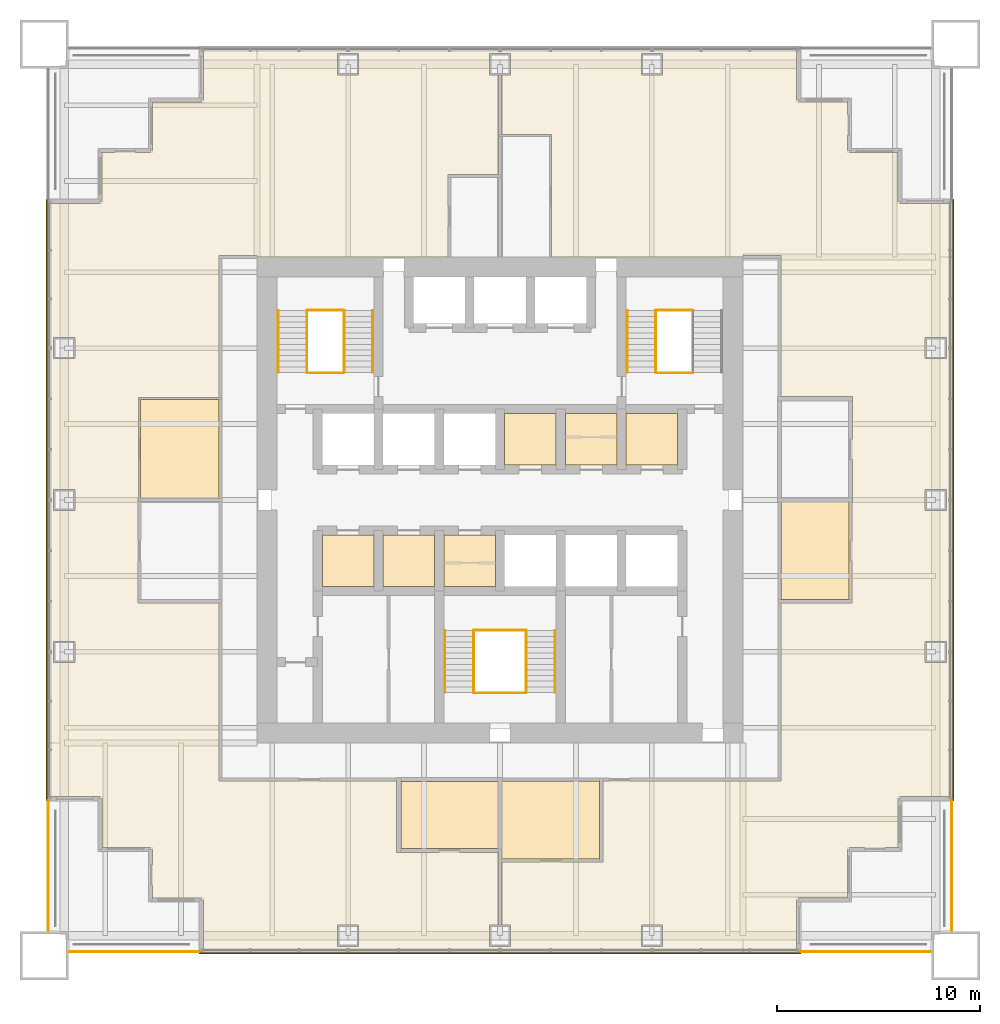
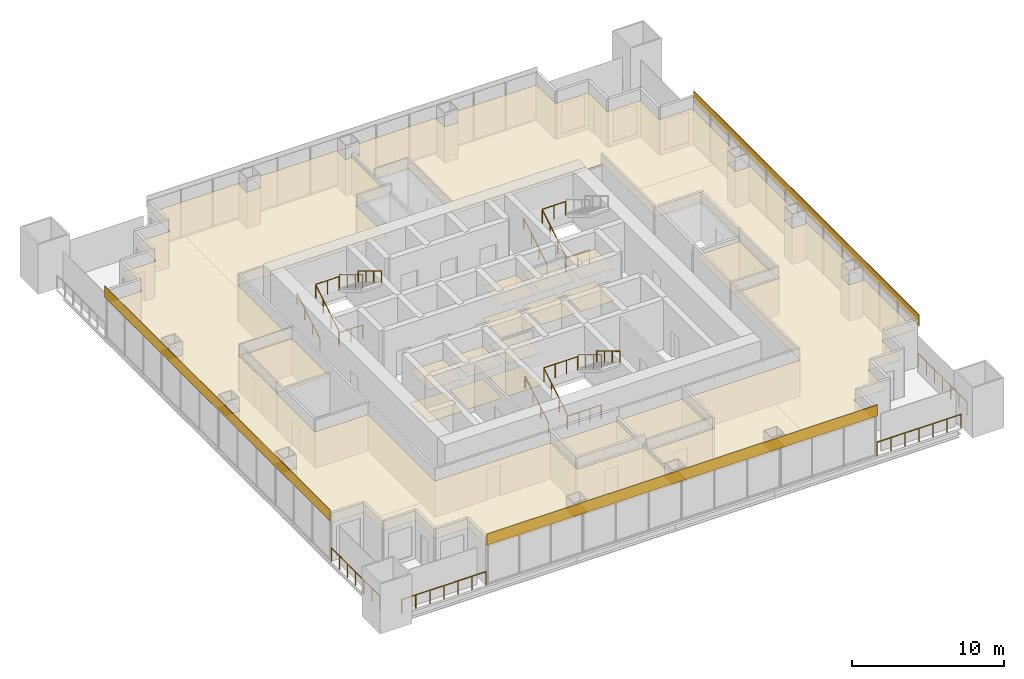
# One storey, part 12 of 13: 21 coverings, 20 railings.
"""IFC4 building model written with IfcOpenShell, lengths in metres."""

from ifc_helpers import new_model, si_unit, direction, frame, origin, origin_2d, place, context, subcontext, project, spatial, polyline, rectangle, circle, outline, extrude, material, layer, layer_set, type_object, element, save


model = new_model("IFC4")

# Units and contexts
model_context = context("Model", 3, precision=1e-05, world=origin(), true_north=direction((0.0, 1.0)))
body_context = subcontext(model_context, "Body", "Model", "MODEL_VIEW")
ifc_project = project(units=[si_unit("LENGTHUNIT", "METRE"), si_unit("AREAUNIT", "SQUARE_METRE"), si_unit("VOLUMEUNIT", "CUBIC_METRE"), si_unit("PLANEANGLEUNIT", "RADIAN"), si_unit("MASSUNIT", "GRAM", prefix="KILO")], contexts=[model_context])

# Site, building, storey
site_placement = place(None, origin())
site = spatial("IfcSite", under=ifc_project, at=site_placement, CompositionType="ELEMENT")
building_placement = place(site_placement, origin())
building = spatial("IfcBuilding", under=site, at=building_placement, Name="Tarangal Relay Tower", CompositionType="ELEMENT")
storey_placement = place(building_placement, frame((0.0, 0.0, 217.89990234375)))
storey = spatial("IfcBuildingStorey", under=building, at=storey_placement, Name="L46", CompositionType="ELEMENT", Elevation=217.89990234375)

# Coverings
ifc_material_1 = material(Name="Anti-static vinyl flooring", Category="plastic")
ifc_layer_1 = layer(ifc_material_1, 0.010009765625)
ifc_layer_set_1 = layer_set([ifc_layer_1], Name="Anti-static vinyl floor")
covering_type_1 = type_object("IfcCoveringType", Name="Anti-static vinyl floor", PredefinedType="FLOORING", material=ifc_layer_set_1)
covering_1_placement = place(storey_placement, origin())
element("IfcCovering", 1, at=covering_1_placement, inside=storey, type_object=covering_type_1, Name="Floor finish FL1 L46-T1", PredefinedType="FLOORING", context=body_context, shape_type="SweptSolid", body=[
    extrude(outline(polyline([(0.22509765625, 1.72509765625), (2.77490234375, 1.72509765625), (2.77490234375, 4.27490234375), (0.22509765625, 4.27490234375), (0.22509765625, 1.72509765625)])), origin(), (0.0, 0.0, 1.0), 0.010009765625),
])
covering_2_placement = place(storey_placement, origin())
element("IfcCovering", 2, at=covering_2_placement, inside=storey, type_object=covering_type_1, Name="Floor finish FL1 L46-T2", PredefinedType="FLOORING", context=body_context, shape_type="SweptSolid", body=[
    extrude(outline(polyline([(3.22509765625, 1.72509765625), (5.77490234375, 1.72509765625), (5.77490234375, 4.27490234375), (3.22509765625, 4.27490234375), (3.22509765625, 1.72509765625)])), origin(), (0.0, 0.0, 1.0), 0.010009765625),
])
covering_3_placement = place(storey_placement, origin())
element("IfcCovering", 3, at=covering_3_placement, inside=storey, type_object=covering_type_1, Name="Floor finish FL1 L46-T3", PredefinedType="FLOORING", context=body_context, shape_type="SweptSolid", body=[
    extrude(outline(polyline([(6.22509765625, 1.72509765625), (8.77490234375, 1.72509765625), (8.77490234375, 4.27490234375), (6.22509765625, 4.27490234375), (6.22509765625, 1.72509765625)])), origin(), (0.0, 0.0, 1.0), 0.010009765625),
])
covering_4_placement = place(storey_placement, origin())
element("IfcCovering", 4, at=covering_4_placement, inside=storey, type_object=covering_type_1, Name="Floor finish FL1 L46-S1", PredefinedType="FLOORING", context=body_context, shape_type="SweptSolid", body=[
    extrude(outline(polyline([(-8.77490234375, -4.27490234375), (-6.22509765625, -4.27490234375), (-6.22509765625, -1.72509765625), (-8.77490234375, -1.72509765625), (-8.77490234375, -4.27490234375)])), origin(), (0.0, 0.0, 1.0), 0.010009765625),
])
covering_5_placement = place(storey_placement, origin())
element("IfcCovering", 5, at=covering_5_placement, inside=storey, type_object=covering_type_1, Name="Floor finish FL1 L46-S2", PredefinedType="FLOORING", context=body_context, shape_type="SweptSolid", body=[
    extrude(outline(polyline([(-5.77490234375, -4.27490234375), (-3.22509765625, -4.27490234375), (-3.22509765625, -1.72509765625), (-5.77490234375, -1.72509765625), (-5.77490234375, -4.27490234375)])), origin(), (0.0, 0.0, 1.0), 0.010009765625),
])
covering_6_placement = place(storey_placement, origin())
element("IfcCovering", 6, at=covering_6_placement, inside=storey, type_object=covering_type_1, Name="Floor finish FL1 L46-S3", PredefinedType="FLOORING", context=body_context, shape_type="SweptSolid", body=[
    extrude(outline(polyline([(-2.77490234375, -4.27490234375), (-0.22509765625, -4.27490234375), (-0.22509765625, -1.72509765625), (-2.77490234375, -1.72509765625), (-2.77490234375, -4.27490234375)])), origin(), (0.0, 0.0, 1.0), 0.010009765625),
])
ifc_material_2 = material(Name="Black anodised aluminium cladding", Category="aluminium")
ifc_layer_2 = layer(ifc_material_2, 0.050048828125)
ifc_layer_set_2 = layer_set([ifc_layer_2], Name="Black metal spandrel band")
covering_type_2 = type_object("IfcCoveringType", Name="Black metal spandrel band", PredefinedType="CLADDING", material=ifc_layer_set_2)
for number, where, z_axis, x_axis, name in (
    (7, (22.375, 0.0, 3.250244140625), (0.0, 0.0, 1.0), (0.0, -1.0, 0.0), "Spandrel band SB1 E L46"),
    (8, (0.0, -22.375, 3.250244140625), (0.0, 0.0, 1.0), (-1.0, 0.0, 0.0), "Spandrel band SB1 S L46"),
    (9, (-22.375, 0.0, 3.250244140625), (0.0, 0.0, 1.0), (0.0, 1.0, 0.0), "Spandrel band SB1 W L46"),
):
    element("IfcCovering", number, at=place(storey_placement, frame(where, z_axis=z_axis, x_axis=x_axis)), inside=storey, type_object=covering_type_2, Name=name, PredefinedType="CLADDING", context=body_context, shape_type="SweptSolid", body=[
        extrude(rectangle(XDim=29.699951171875, YDim=0.050048828125, at=origin_2d()), origin(), (0.0, 0.0, 1.0), 0.89990234375),
    ])

# Railings
ifc_material_3 = material(Name="Steel guard, black finish", Category="steel")
railing_type_1 = type_object("IfcRailingType", Name="Stair guard 1100", PredefinedType="GUARDRAIL", material=ifc_material_3)
railing_1_placement = place(storey_placement, frame((-9.530029296875, 6.300048828125, 0.166748046875)))
element("IfcRailing", 10, at=railing_1_placement, inside=storey, type_object=railing_type_1, Name="Stair ST-A guard GR1 L46 flight 1", PredefinedType="GUARDRAIL", context=body_context, shape_type="SweptSolid", body=[
    extrude(circle(Radius=0.02392578125, at=origin_2d()), frame((0.0, 0.0, 1.076171875), z_axis=(0.0, 0.85685617095, 0.515555527858), x_axis=(-1.0, 0.0, 0.0)), (0.0, 0.0, 1.0), 3.555908203125),
    extrude(circle(Radius=0.02099609375, at=origin_2d()), origin(), (0.0, 0.0, 1.0), 1.052001953125),
    extrude(circle(Radius=0.02099609375, at=origin_2d()), frame((0.0, 1.015625, 0.611083984375)), (0.0, 0.0, 1.0), 1.052001953125),
    extrude(circle(Radius=0.02099609375, at=origin_2d()), frame((0.0, 2.03125, 1.22216796875)), (0.0, 0.0, 1.0), 1.052001953125),
    extrude(circle(Radius=0.02099609375, at=origin_2d()), frame((0.0, 3.046875, 1.833251953125)), (0.0, 0.0, 1.0), 1.052001953125),
])
railing_2_placement = place(storey_placement, frame((-7.695068359375, 9.346923828125, 2.166748046875)))
element("IfcRailing", 11, at=railing_2_placement, inside=storey, type_object=railing_type_1, Name="Stair ST-A guard GR1 L46 flight 2", PredefinedType="GUARDRAIL", context=body_context, shape_type="SweptSolid", body=[
    extrude(circle(Radius=0.02392578125, at=origin_2d()), frame((0.0, 0.0, 1.076171875), z_axis=(0.0, -0.85685617095, 0.515555527858), x_axis=(1.0, 0.0, 0.0)), (0.0, 0.0, 1.0), 3.555908203125),
    extrude(circle(Radius=0.02099609375, at=origin_2d()), origin(), (0.0, 0.0, 1.0), 1.052001953125),
    extrude(circle(Radius=0.02099609375, at=origin_2d()), frame((0.0, -1.015625, 0.611083984375)), (0.0, 0.0, 1.0), 1.052001953125),
    extrude(circle(Radius=0.02099609375, at=origin_2d()), frame((0.0, -2.03125, 1.22216796875)), (0.0, 0.0, 1.0), 1.052001953125),
    extrude(circle(Radius=0.02099609375, at=origin_2d()), frame((0.0, -3.046875, 1.833251953125)), (0.0, 0.0, 1.0), 1.052001953125),
])
for number, where, name in (
    (12, (-9.5, 6.27001953125, 0.0), "Stair ST-A landing guard GR1 L46"),
    (13, (-9.5, 9.376953125, 2.0), "Stair ST-A landing guard GR1 L46"),
):
    element("IfcRailing", number, at=place(storey_placement, frame(where)), inside=storey, type_object=railing_type_1, Name=name, PredefinedType="GUARDRAIL", context=body_context, shape_type="SweptSolid", body=[
        extrude(circle(Radius=0.02392578125, at=origin_2d()), frame((0.0, 0.0, 1.076171875), z_axis=(1.0, 0.0, 0.0), x_axis=(0.0, 1.0, 0.0)), (0.0, 0.0, 1.0), 1.77490234375),
        extrude(circle(Radius=0.02099609375, at=origin_2d()), origin(), (0.0, 0.0, 1.0), 1.052001953125),
        extrude(circle(Radius=0.02099609375, at=origin_2d()), frame((0.887451171875, 0.0, 0.0)), (0.0, 0.0, 1.0), 1.052001953125),
        extrude(circle(Radius=0.02099609375, at=origin_2d()), frame((1.77490234375, 0.0, 0.0)), (0.0, 0.0, 1.0), 1.052001953125),
    ])
railing_3_placement = place(storey_placement, frame((7.695068359375, 6.300048828125, 0.166748046875)))
element("IfcRailing", 14, at=railing_3_placement, inside=storey, type_object=railing_type_1, Name="Stair ST-B guard GR1 L46 flight 1", PredefinedType="GUARDRAIL", context=body_context, shape_type="SweptSolid", body=[
    extrude(circle(Radius=0.02392578125, at=origin_2d()), frame((0.0, 0.0, 1.076171875), z_axis=(0.0, 0.85685617095, 0.515555527858), x_axis=(-1.0, 0.0, 0.0)), (0.0, 0.0, 1.0), 3.555908203125),
    extrude(circle(Radius=0.02099609375, at=origin_2d()), origin(), (0.0, 0.0, 1.0), 1.052001953125),
    extrude(circle(Radius=0.02099609375, at=origin_2d()), frame((0.0, 1.015625, 0.611083984375)), (0.0, 0.0, 1.0), 1.052001953125),
    extrude(circle(Radius=0.02099609375, at=origin_2d()), frame((0.0, 2.03125, 1.22216796875)), (0.0, 0.0, 1.0), 1.052001953125),
    extrude(circle(Radius=0.02099609375, at=origin_2d()), frame((0.0, 3.046875, 1.833251953125)), (0.0, 0.0, 1.0), 1.052001953125),
])
for number, where, name in (
    (15, (7.72509765625, 6.27001953125, 0.0), "Stair ST-B landing guard GR1 L46"),
    (16, (7.72509765625, 9.376953125, 2.0), "Stair ST-B landing guard GR1 L46"),
):
    element("IfcRailing", number, at=place(storey_placement, frame(where)), inside=storey, type_object=railing_type_1, Name=name, PredefinedType="GUARDRAIL", context=body_context, shape_type="SweptSolid", body=[
        extrude(circle(Radius=0.02392578125, at=origin_2d()), frame((0.0, 0.0, 1.076171875), z_axis=(1.0, 0.0, 0.0), x_axis=(0.0, 1.0, 0.0)), (0.0, 0.0, 1.0), 1.77490234375),
        extrude(circle(Radius=0.02099609375, at=origin_2d()), origin(), (0.0, 0.0, 1.0), 1.052001953125),
        extrude(circle(Radius=0.02099609375, at=origin_2d()), frame((0.887451171875, 0.0, 0.0)), (0.0, 0.0, 1.0), 1.052001953125),
        extrude(circle(Radius=0.02099609375, at=origin_2d()), frame((1.77490234375, 0.0, 0.0)), (0.0, 0.0, 1.0), 1.052001953125),
    ])
railing_4_placement = place(storey_placement, frame((-1.304931640625, -9.5, 0.166748046875)))
element("IfcRailing", 17, at=railing_4_placement, inside=storey, type_object=railing_type_1, Name="Stair ST-C guard GR1 L46 flight 1", PredefinedType="GUARDRAIL", context=body_context, shape_type="SweptSolid", body=[
    extrude(circle(Radius=0.02392578125, at=origin_2d()), frame((0.0, 0.0, 1.076171875), z_axis=(0.0, 0.856874418557, 0.515525199018), x_axis=(-1.0, 0.0, 0.0)), (0.0, 0.0, 1.0), 3.55615234375),
    extrude(circle(Radius=0.02099609375, at=origin_2d()), origin(), (0.0, 0.0, 1.0), 1.052001953125),
    extrude(circle(Radius=0.02099609375, at=origin_2d()), frame((0.0, 1.015625, 0.611083984375)), (0.0, 0.0, 1.0), 1.052001953125),
    extrude(circle(Radius=0.02099609375, at=origin_2d()), frame((0.0, 2.031494140625, 1.22216796875)), (0.0, 0.0, 1.0), 1.052001953125),
    extrude(circle(Radius=0.02099609375, at=origin_2d()), frame((0.0, 3.047119140625, 1.833251953125)), (0.0, 0.0, 1.0), 1.052001953125),
])
railing_5_placement = place(storey_placement, frame((1.304931640625, -6.452880859375, 2.166748046875)))
element("IfcRailing", 18, at=railing_5_placement, inside=storey, type_object=railing_type_1, Name="Stair ST-C guard GR1 L46 flight 2", PredefinedType="GUARDRAIL", context=body_context, shape_type="SweptSolid", body=[
    extrude(circle(Radius=0.02392578125, at=origin_2d()), frame((0.0, 0.0, 1.076171875), z_axis=(0.0, -0.856874418557, 0.515525199018), x_axis=(1.0, 0.0, 0.0)), (0.0, 0.0, 1.0), 3.55615234375),
    extrude(circle(Radius=0.02099609375, at=origin_2d()), origin(), (0.0, 0.0, 1.0), 1.052001953125),
    extrude(circle(Radius=0.02099609375, at=origin_2d()), frame((0.0, -1.015625, 0.611083984375)), (0.0, 0.0, 1.0), 1.052001953125),
    extrude(circle(Radius=0.02099609375, at=origin_2d()), frame((0.0, -2.031494140625, 1.22216796875)), (0.0, 0.0, 1.0), 1.052001953125),
    extrude(circle(Radius=0.02099609375, at=origin_2d()), frame((0.0, -3.047119140625, 1.833251953125)), (0.0, 0.0, 1.0), 1.052001953125),
])
for number, where, name in (
    (19, (-1.27490234375, -9.530029296875, 0.0), "Stair ST-C landing guard GR1 L46"),
    (20, (-1.27490234375, -6.423095703125, 2.0), "Stair ST-C landing guard GR1 L46"),
):
    element("IfcRailing", number, at=place(storey_placement, frame(where)), inside=storey, type_object=railing_type_1, Name=name, PredefinedType="GUARDRAIL", context=body_context, shape_type="SweptSolid", body=[
        extrude(circle(Radius=0.02392578125, at=origin_2d()), frame((0.0, 0.0, 1.076171875), z_axis=(1.0, 0.0, 0.0), x_axis=(0.0, 1.0, 0.0)), (0.0, 0.0, 1.0), 2.5498046875),
        extrude(circle(Radius=0.02099609375, at=origin_2d()), origin(), (0.0, 0.0, 1.0), 1.052001953125),
        extrude(circle(Radius=0.02099609375, at=origin_2d()), frame((0.849853515625, 0.0, 0.0)), (0.0, 0.0, 1.0), 1.052001953125),
        extrude(circle(Radius=0.02099609375, at=origin_2d()), frame((1.699951171875, 0.0, 0.0)), (0.0, 0.0, 1.0), 1.052001953125),
        extrude(circle(Radius=0.02099609375, at=origin_2d()), frame((2.5498046875, 0.0, 0.0)), (0.0, 0.0, 1.0), 1.052001953125),
    ])
ifc_material_4 = material(Name="Steel handrail, black finish", Category="steel")
railing_type_2 = type_object("IfcRailingType", Name="Stair handrail 900", PredefinedType="HANDRAIL", material=ifc_material_4)
railing_6_placement = place(storey_placement, frame((-10.93994140625, 6.300048828125, 0.166748046875)))
element("IfcRailing", 21, at=railing_6_placement, inside=storey, type_object=railing_type_2, Name="Stair ST-A handrail HR1 L46 flight 1", PredefinedType="HANDRAIL", context=body_context, shape_type="SweptSolid", body=[
    extrude(circle(Radius=0.02392578125, at=origin_2d()), frame((0.0, 0.0, 0.8759765625), z_axis=(0.0, 0.85685617095, 0.515555527858), x_axis=(-1.0, 0.0, 0.0)), (0.0, 0.0, 1.0), 3.555908203125),
    extrude(circle(Radius=0.02099609375, at=origin_2d()), origin(), (0.0, 0.0, 1.0), 0.851806640625),
    extrude(circle(Radius=0.02099609375, at=origin_2d()), frame((0.0, 1.015625, 0.611083984375)), (0.0, 0.0, 1.0), 0.851806640625),
    extrude(circle(Radius=0.02099609375, at=origin_2d()), frame((0.0, 2.03125, 1.22216796875)), (0.0, 0.0, 1.0), 0.851806640625),
    extrude(circle(Radius=0.02099609375, at=origin_2d()), frame((0.0, 3.046875, 1.833251953125)), (0.0, 0.0, 1.0), 0.851806640625),
])
railing_7_placement = place(storey_placement, frame((-6.284912109375, 9.346923828125, 2.166748046875)))
element("IfcRailing", 22, at=railing_7_placement, inside=storey, type_object=railing_type_2, Name="Stair ST-A handrail HR1 L46 flight 2", PredefinedType="HANDRAIL", context=body_context, shape_type="SweptSolid", body=[
    extrude(circle(Radius=0.02392578125, at=origin_2d()), frame((0.0, 0.0, 0.8759765625), z_axis=(0.0, -0.85685617095, 0.515555527858), x_axis=(1.0, 0.0, 0.0)), (0.0, 0.0, 1.0), 3.555908203125),
    extrude(circle(Radius=0.02099609375, at=origin_2d()), origin(), (0.0, 0.0, 1.0), 0.851806640625),
    extrude(circle(Radius=0.02099609375, at=origin_2d()), frame((0.0, -1.015625, 0.611083984375)), (0.0, 0.0, 1.0), 0.851806640625),
    extrude(circle(Radius=0.02099609375, at=origin_2d()), frame((0.0, -2.03125, 1.22216796875)), (0.0, 0.0, 1.0), 0.851806640625),
    extrude(circle(Radius=0.02099609375, at=origin_2d()), frame((0.0, -3.046875, 1.833251953125)), (0.0, 0.0, 1.0), 0.851806640625),
])
railing_8_placement = place(storey_placement, frame((6.284912109375, 6.300048828125, 0.166748046875)))
element("IfcRailing", 23, at=railing_8_placement, inside=storey, type_object=railing_type_2, Name="Stair ST-B handrail HR1 L46 flight 1", PredefinedType="HANDRAIL", context=body_context, shape_type="SweptSolid", body=[
    extrude(circle(Radius=0.02392578125, at=origin_2d()), frame((0.0, 0.0, 0.8759765625), z_axis=(0.0, 0.85685617095, 0.515555527858), x_axis=(-1.0, 0.0, 0.0)), (0.0, 0.0, 1.0), 3.555908203125),
    extrude(circle(Radius=0.02099609375, at=origin_2d()), origin(), (0.0, 0.0, 1.0), 0.851806640625),
    extrude(circle(Radius=0.02099609375, at=origin_2d()), frame((0.0, 1.015625, 0.611083984375)), (0.0, 0.0, 1.0), 0.851806640625),
    extrude(circle(Radius=0.02099609375, at=origin_2d()), frame((0.0, 2.03125, 1.22216796875)), (0.0, 0.0, 1.0), 0.851806640625),
    extrude(circle(Radius=0.02099609375, at=origin_2d()), frame((0.0, 3.046875, 1.833251953125)), (0.0, 0.0, 1.0), 0.851806640625),
])
railing_9_placement = place(storey_placement, frame((-2.715087890625, -9.5, 0.166748046875)))
element("IfcRailing", 24, at=railing_9_placement, inside=storey, type_object=railing_type_2, Name="Stair ST-C handrail HR1 L46 flight 1", PredefinedType="HANDRAIL", context=body_context, shape_type="SweptSolid", body=[
    extrude(circle(Radius=0.02392578125, at=origin_2d()), frame((0.0, 0.0, 0.8759765625), z_axis=(0.0, 0.856874418557, 0.515525199018), x_axis=(-1.0, 0.0, 0.0)), (0.0, 0.0, 1.0), 3.55615234375),
    extrude(circle(Radius=0.02099609375, at=origin_2d()), origin(), (0.0, 0.0, 1.0), 0.851806640625),
    extrude(circle(Radius=0.02099609375, at=origin_2d()), frame((0.0, 1.015625, 0.611083984375)), (0.0, 0.0, 1.0), 0.851806640625),
    extrude(circle(Radius=0.02099609375, at=origin_2d()), frame((0.0, 2.031494140625, 1.22216796875)), (0.0, 0.0, 1.0), 0.851806640625),
    extrude(circle(Radius=0.02099609375, at=origin_2d()), frame((0.0, 3.047119140625, 1.833251953125)), (0.0, 0.0, 1.0), 0.851806640625),
])
railing_10_placement = place(storey_placement, frame((2.715087890625, -6.452880859375, 2.166748046875)))
element("IfcRailing", 25, at=railing_10_placement, inside=storey, type_object=railing_type_2, Name="Stair ST-C handrail HR1 L46 flight 2", PredefinedType="HANDRAIL", context=body_context, shape_type="SweptSolid", body=[
    extrude(circle(Radius=0.02392578125, at=origin_2d()), frame((0.0, 0.0, 0.8759765625), z_axis=(0.0, -0.856874418557, 0.515525199018), x_axis=(1.0, 0.0, 0.0)), (0.0, 0.0, 1.0), 3.55615234375),
    extrude(circle(Radius=0.02099609375, at=origin_2d()), origin(), (0.0, 0.0, 1.0), 0.851806640625),
    extrude(circle(Radius=0.02099609375, at=origin_2d()), frame((0.0, -1.015625, 0.611083984375)), (0.0, 0.0, 1.0), 0.851806640625),
    extrude(circle(Radius=0.02099609375, at=origin_2d()), frame((0.0, -2.031494140625, 1.22216796875)), (0.0, 0.0, 1.0), 0.851806640625),
    extrude(circle(Radius=0.02099609375, at=origin_2d()), frame((0.0, -3.047119140625, 1.833251953125)), (0.0, 0.0, 1.0), 0.851806640625),
])

# Coverings
ifc_material_5 = material(Name="Mineral fibre ceiling tiles", Category="gypsum")
ifc_layer_3 = layer(ifc_material_5, 0.02001953125)
ifc_layer_set_3 = layer_set([ifc_layer_3], Name="Suspended ceiling")
covering_type_3 = type_object("IfcCoveringType", Name="Suspended ceiling", PredefinedType="CEILING", material=ifc_layer_set_3)
covering_7_placement = place(storey_placement, frame((0.0, 0.0, 2.60009765625)))
element("IfcCovering", 26, at=covering_7_placement, inside=storey, type_object=covering_type_3, Name="Suspended ceiling CL1 L46-T1", PredefinedType="CEILING", context=body_context, shape_type="SweptSolid", body=[
    extrude(outline(polyline([(0.22509765625, 1.72509765625), (2.77490234375, 1.72509765625), (2.77490234375, 4.27490234375), (0.22509765625, 4.27490234375), (0.22509765625, 1.72509765625)])), origin(), (0.0, 0.0, 1.0), 0.02001953125),
])
covering_8_placement = place(storey_placement, frame((0.0, 0.0, 2.60009765625)))
element("IfcCovering", 27, at=covering_8_placement, inside=storey, type_object=covering_type_3, Name="Suspended ceiling CL1 L46-T2", PredefinedType="CEILING", context=body_context, shape_type="SweptSolid", body=[
    extrude(outline(polyline([(3.22509765625, 1.72509765625), (5.77490234375, 1.72509765625), (5.77490234375, 4.27490234375), (3.22509765625, 4.27490234375), (3.22509765625, 1.72509765625)])), origin(), (0.0, 0.0, 1.0), 0.02001953125),
])
covering_9_placement = place(storey_placement, frame((0.0, 0.0, 2.60009765625)))
element("IfcCovering", 28, at=covering_9_placement, inside=storey, type_object=covering_type_3, Name="Suspended ceiling CL1 L46-T3", PredefinedType="CEILING", context=body_context, shape_type="SweptSolid", body=[
    extrude(outline(polyline([(6.22509765625, 1.72509765625), (8.77490234375, 1.72509765625), (8.77490234375, 4.27490234375), (6.22509765625, 4.27490234375), (6.22509765625, 1.72509765625)])), origin(), (0.0, 0.0, 1.0), 0.02001953125),
])
covering_10_placement = place(storey_placement, frame((0.0, 0.0, 2.60009765625)))
element("IfcCovering", 29, at=covering_10_placement, inside=storey, type_object=covering_type_3, Name="Suspended ceiling CL1 L46-S1", PredefinedType="CEILING", context=body_context, shape_type="SweptSolid", body=[
    extrude(outline(polyline([(-8.77490234375, -4.27490234375), (-6.22509765625, -4.27490234375), (-6.22509765625, -1.72509765625), (-8.77490234375, -1.72509765625), (-8.77490234375, -4.27490234375)])), origin(), (0.0, 0.0, 1.0), 0.02001953125),
])
covering_11_placement = place(storey_placement, frame((0.0, 0.0, 2.60009765625)))
element("IfcCovering", 30, at=covering_11_placement, inside=storey, type_object=covering_type_3, Name="Suspended ceiling CL1 L46-S2", PredefinedType="CEILING", context=body_context, shape_type="SweptSolid", body=[
    extrude(outline(polyline([(-5.77490234375, -4.27490234375), (-3.22509765625, -4.27490234375), (-3.22509765625, -1.72509765625), (-5.77490234375, -1.72509765625), (-5.77490234375, -4.27490234375)])), origin(), (0.0, 0.0, 1.0), 0.02001953125),
])
covering_12_placement = place(storey_placement, frame((0.0, 0.0, 2.60009765625)))
element("IfcCovering", 31, at=covering_12_placement, inside=storey, type_object=covering_type_3, Name="Suspended ceiling CL1 L46-S3", PredefinedType="CEILING", context=body_context, shape_type="SweptSolid", body=[
    extrude(outline(polyline([(-2.77490234375, -4.27490234375), (-0.22509765625, -4.27490234375), (-0.22509765625, -1.72509765625), (-2.77490234375, -1.72509765625), (-2.77490234375, -4.27490234375)])), origin(), (0.0, 0.0, 1.0), 0.02001953125),
])
covering_13_placement = place(storey_placement, frame((0.0, 0.0, 2.900146484375)))
element("IfcCovering", 32, at=covering_13_placement, inside=storey, type_object=covering_type_3, Name="Suspended ceiling CL1 L46-05", PredefinedType="CEILING", context=body_context, shape_type="SweptSolid", body=[
    extrude(outline(polyline([(17.22509765625, -4.925048828125), (17.22509765625, -0.10009765625), (13.875, -0.10009765625), (13.875, -4.925048828125), (17.22509765625, -4.925048828125)])), origin(), (0.0, 0.0, 1.0), 0.02001953125),
])
covering_14_placement = place(storey_placement, frame((0.0, 0.0, 2.900146484375)))
element("IfcCovering", 33, at=covering_14_placement, inside=storey, type_object=covering_type_3, Name="Suspended ceiling CL1 L46-06", PredefinedType="CEILING", context=body_context, shape_type="SweptSolid", body=[
    extrude(outline(polyline([(0.074951171875, -17.39990234375), (0.074951171875, -17.72509765625), (4.925048828125, -17.72509765625), (4.925048828125, -13.875), (0.10009765625, -13.875), (0.10009765625, -17.39990234375), (0.074951171875, -17.39990234375)])), origin(), (0.0, 0.0, 1.0), 0.02001953125),
])
covering_15_placement = place(storey_placement, frame((0.0, 0.0, 2.900146484375)))
element("IfcCovering", 34, at=covering_15_placement, inside=storey, type_object=covering_type_3, Name="Suspended ceiling CL1 L46-07", PredefinedType="CEILING", context=body_context, shape_type="SweptSolid", body=[
    extrude(outline(polyline([(-4.89990234375, -13.89990234375), (-4.89990234375, -17.199951171875), (-0.10009765625, -17.199951171875), (-0.10009765625, -13.89990234375), (-4.89990234375, -13.89990234375)])), origin(), (0.0, 0.0, 1.0), 0.02001953125),
])
covering_16_placement = place(storey_placement, frame((0.0, 0.0, 2.900146484375)))
element("IfcCovering", 35, at=covering_16_placement, inside=storey, type_object=covering_type_3, Name="Suspended ceiling CL1 L46-09", PredefinedType="CEILING", context=body_context, shape_type="SweptSolid", body=[
    extrude(outline(polyline([(-13.875, 4.949951171875), (-17.75, 4.949951171875), (-17.75, 0.074951171875), (-13.875, 0.074951171875), (-13.875, 4.949951171875)])), origin(), (0.0, 0.0, 1.0), 0.02001953125),
])
covering_17_placement = place(storey_placement, frame((0.0, 0.0, 2.900146484375)))
element("IfcCovering", 36, at=covering_17_placement, inside=storey, type_object=covering_type_3, Name="Suspended ceiling CL1 L46-10", PredefinedType="CEILING", context=body_context, shape_type="SweptSolid", body=[
    extrude(outline(polyline([(-2.574951171875, 16.074951171875), (-0.074951171875, 16.074951171875), (-0.074951171875, 20.989990234375), (-0.52490234375, 20.989990234375), (-0.52490234375, 22.0400390625), (0.0, 22.0400390625), (0.0, 22.14990234375), (-14.64990234375, 22.14990234375), (-14.64990234375, 19.64990234375), (-17.14990234375, 19.64990234375), (-17.14990234375, 17.14990234375), (-19.64990234375, 17.14990234375), (-19.64990234375, 14.64990234375), (-22.14990234375, 14.64990234375), (-22.14990234375, -14.64990234375), (-19.64990234375, -14.64990234375), (-19.64990234375, -17.14990234375), (-17.14990234375, -17.14990234375), (-17.14990234375, -19.64990234375), (-14.64990234375, -19.64990234375), (-14.64990234375, -22.14990234375), (0.0, -22.14990234375), (0.0, -22.0400390625), (-0.52490234375, -22.0400390625), (-0.52490234375, -20.989990234375), (-0.074951171875, -20.989990234375), (-0.074951171875, -17.39990234375), (-5.10009765625, -17.39990234375), (-5.10009765625, -13.875), (-13.875, -13.875), (-13.875, -5.074951171875), (-17.875, -5.074951171875), (-17.875, 0.074951171875), (-17.85009765625, 0.074951171875), (-17.85009765625, 5.050048828125), (-13.875, 5.050048828125), (-13.875, 12.074951171875), (-12.0, 12.074951171875), (-12.0, 12.0), (-2.574951171875, 12.0), (-2.574951171875, 16.074951171875)]), holes=[polyline([(-8.02490234375, -22.0400390625), (-6.97509765625, -22.0400390625), (-6.97509765625, -20.989990234375), (-8.02490234375, -20.989990234375), (-8.02490234375, -22.0400390625)]), polyline([(-22.0400390625, -6.97509765625), (-22.0400390625, -8.02490234375), (-20.989990234375, -8.02490234375), (-20.989990234375, -6.97509765625), (-22.0400390625, -6.97509765625)]), polyline([(-22.0400390625, 0.52490234375), (-22.0400390625, -0.52490234375), (-20.989990234375, -0.52490234375), (-20.989990234375, 0.52490234375), (-22.0400390625, 0.52490234375)]), polyline([(-22.0400390625, 8.02490234375), (-22.0400390625, 6.97509765625), (-20.989990234375, 6.97509765625), (-20.989990234375, 8.02490234375), (-22.0400390625, 8.02490234375)]), polyline([(-8.02490234375, 22.0400390625), (-8.02490234375, 20.989990234375), (-6.97509765625, 20.989990234375), (-6.97509765625, 22.0400390625), (-8.02490234375, 22.0400390625)])]), origin(), (0.0, 0.0, 1.0), 0.02001953125),
])
covering_18_placement = place(storey_placement, frame((0.0, 0.0, 2.900146484375)))
element("IfcCovering", 37, at=covering_18_placement, inside=storey, type_object=covering_type_3, Name="Suspended ceiling CL1 L46-11", PredefinedType="CEILING", context=body_context, shape_type="SweptSolid", body=[
    extrude(outline(polyline([(12.0, 12.074951171875), (13.875, 12.074951171875), (13.875, 5.10009765625), (17.39990234375, 5.10009765625), (17.39990234375, -0.10009765625), (17.375, -0.10009765625), (17.375, -5.074951171875), (13.875, -5.074951171875), (13.875, -13.875), (5.074951171875, -13.875), (5.074951171875, -17.875), (0.074951171875, -17.875), (0.074951171875, -20.989990234375), (0.52490234375, -20.989990234375), (0.52490234375, -22.0400390625), (0.0, -22.0400390625), (0.0, -22.14990234375), (14.64990234375, -22.14990234375), (14.64990234375, -19.64990234375), (17.14990234375, -19.64990234375), (17.14990234375, -17.14990234375), (19.64990234375, -17.14990234375), (19.64990234375, -14.64990234375), (22.14990234375, -14.64990234375), (22.14990234375, 14.64990234375), (19.64990234375, 14.64990234375), (19.64990234375, 17.14990234375), (17.14990234375, 17.14990234375), (17.14990234375, 19.64990234375), (14.64990234375, 19.64990234375), (14.64990234375, 22.14990234375), (0.0, 22.14990234375), (0.0, 22.0400390625), (0.52490234375, 22.0400390625), (0.52490234375, 20.989990234375), (0.074951171875, 20.989990234375), (0.074951171875, 18.050048828125), (2.550048828125, 18.050048828125), (2.550048828125, 12.0), (12.0, 12.0), (12.0, 12.074951171875)]), holes=[polyline([(6.97509765625, -20.989990234375), (6.97509765625, -22.0400390625), (8.02490234375, -22.0400390625), (8.02490234375, -20.989990234375), (6.97509765625, -20.989990234375)]), polyline([(20.989990234375, -6.97509765625), (20.989990234375, -8.02490234375), (22.0400390625, -8.02490234375), (22.0400390625, -6.97509765625), (20.989990234375, -6.97509765625)]), polyline([(20.989990234375, 0.52490234375), (20.989990234375, -0.52490234375), (22.0400390625, -0.52490234375), (22.0400390625, 0.52490234375), (20.989990234375, 0.52490234375)]), polyline([(20.989990234375, 8.02490234375), (20.989990234375, 6.97509765625), (22.0400390625, 6.97509765625), (22.0400390625, 8.02490234375), (20.989990234375, 8.02490234375)]), polyline([(6.97509765625, 22.0400390625), (6.97509765625, 20.989990234375), (8.02490234375, 20.989990234375), (8.02490234375, 22.0400390625), (6.97509765625, 22.0400390625)])]), origin(), (0.0, 0.0, 1.0), 0.02001953125),
])

# Railings
ifc_material_6 = material(Name="Black steel guard with glass infill", Category="steel")
railing_type_3 = type_object("IfcRailingType", Name="Terrace guard 1100", PredefinedType="GUARDRAIL", material=ifc_material_6)
railing_11_placement = place(storey_placement, frame((22.300048828125, -14.85009765625, 0.0)))
element("IfcRailing", 38, at=railing_11_placement, inside=storey, type_object=railing_type_3, Name="Terrace guard GR2 SE L46", PredefinedType="GUARDRAIL", context=body_context, shape_type="SweptSolid", body=[
    extrude(circle(Radius=0.02392578125, at=origin_2d()), frame((0.0, 0.0, 1.076171875), z_axis=(0.0, -1.0, 0.0), x_axis=(1.0, 0.0, 0.0)), (0.0, 0.0, 1.0), 6.39990234375),
    extrude(circle(Radius=0.02099609375, at=origin_2d()), origin(), (0.0, 0.0, 1.0), 1.052001953125),
    extrude(circle(Radius=0.02099609375, at=origin_2d()), frame((0.0, -1.066650390625, 0.0)), (0.0, 0.0, 1.0), 1.052001953125),
    extrude(circle(Radius=0.02099609375, at=origin_2d()), frame((0.0, -2.13330078125, 0.0)), (0.0, 0.0, 1.0), 1.052001953125),
    extrude(circle(Radius=0.02099609375, at=origin_2d()), frame((0.0, -3.199951171875, 0.0)), (0.0, 0.0, 1.0), 1.052001953125),
    extrude(circle(Radius=0.02099609375, at=origin_2d()), frame((0.0, -4.2666015625, 0.0)), (0.0, 0.0, 1.0), 1.052001953125),
    extrude(circle(Radius=0.02099609375, at=origin_2d()), frame((0.0, -5.333251953125, 0.0)), (0.0, 0.0, 1.0), 1.052001953125),
    extrude(circle(Radius=0.02099609375, at=origin_2d()), frame((0.0, -6.39990234375, 0.0)), (0.0, 0.0, 1.0), 1.052001953125),
])
for number, where, name in (
    (39, (21.25, -22.300048828125, 0.0), "Terrace guard GR2 SE L46"),
    (40, (-14.85009765625, -22.300048828125, 0.0), "Terrace guard GR2 SW L46"),
):
    element("IfcRailing", number, at=place(storey_placement, frame(where)), inside=storey, type_object=railing_type_3, Name=name, PredefinedType="GUARDRAIL", context=body_context, shape_type="SweptSolid", body=[
        extrude(circle(Radius=0.02392578125, at=origin_2d()), frame((0.0, 0.0, 1.076171875), z_axis=(-1.0, 0.0, 0.0), x_axis=(0.0, -1.0, 0.0)), (0.0, 0.0, 1.0), 6.39990234375),
        extrude(circle(Radius=0.02099609375, at=origin_2d()), origin(), (0.0, 0.0, 1.0), 1.052001953125),
        extrude(circle(Radius=0.02099609375, at=origin_2d()), frame((-1.066650390625, 0.0, 0.0)), (0.0, 0.0, 1.0), 1.052001953125),
        extrude(circle(Radius=0.02099609375, at=origin_2d()), frame((-2.13330078125, 0.0, 0.0)), (0.0, 0.0, 1.0), 1.052001953125),
        extrude(circle(Radius=0.02099609375, at=origin_2d()), frame((-3.199951171875, 0.0, 0.0)), (0.0, 0.0, 1.0), 1.052001953125),
        extrude(circle(Radius=0.02099609375, at=origin_2d()), frame((-4.2666015625, 0.0, 0.0)), (0.0, 0.0, 1.0), 1.052001953125),
        extrude(circle(Radius=0.02099609375, at=origin_2d()), frame((-5.333251953125, 0.0, 0.0)), (0.0, 0.0, 1.0), 1.052001953125),
        extrude(circle(Radius=0.02099609375, at=origin_2d()), frame((-6.39990234375, 0.0, 0.0)), (0.0, 0.0, 1.0), 1.052001953125),
    ])
railing_12_placement = place(storey_placement, frame((-22.300048828125, -21.25, 0.0)))
element("IfcRailing", 41, at=railing_12_placement, inside=storey, type_object=railing_type_3, Name="Terrace guard GR2 SW L46", PredefinedType="GUARDRAIL", context=body_context, shape_type="SweptSolid", body=[
    extrude(circle(Radius=0.02392578125, at=origin_2d()), frame((0.0, 0.0, 1.076171875), z_axis=(0.0, 1.0, 0.0), x_axis=(-1.0, 0.0, 0.0)), (0.0, 0.0, 1.0), 6.39990234375),
    extrude(circle(Radius=0.02099609375, at=origin_2d()), origin(), (0.0, 0.0, 1.0), 1.052001953125),
    extrude(circle(Radius=0.02099609375, at=origin_2d()), frame((0.0, 1.066650390625, 0.0)), (0.0, 0.0, 1.0), 1.052001953125),
    extrude(circle(Radius=0.02099609375, at=origin_2d()), frame((0.0, 2.13330078125, 0.0)), (0.0, 0.0, 1.0), 1.052001953125),
    extrude(circle(Radius=0.02099609375, at=origin_2d()), frame((0.0, 3.199951171875, 0.0)), (0.0, 0.0, 1.0), 1.052001953125),
    extrude(circle(Radius=0.02099609375, at=origin_2d()), frame((0.0, 4.2666015625, 0.0)), (0.0, 0.0, 1.0), 1.052001953125),
    extrude(circle(Radius=0.02099609375, at=origin_2d()), frame((0.0, 5.333251953125, 0.0)), (0.0, 0.0, 1.0), 1.052001953125),
    extrude(circle(Radius=0.02099609375, at=origin_2d()), frame((0.0, 6.39990234375, 0.0)), (0.0, 0.0, 1.0), 1.052001953125),
])

save(model, "model.ifc")
